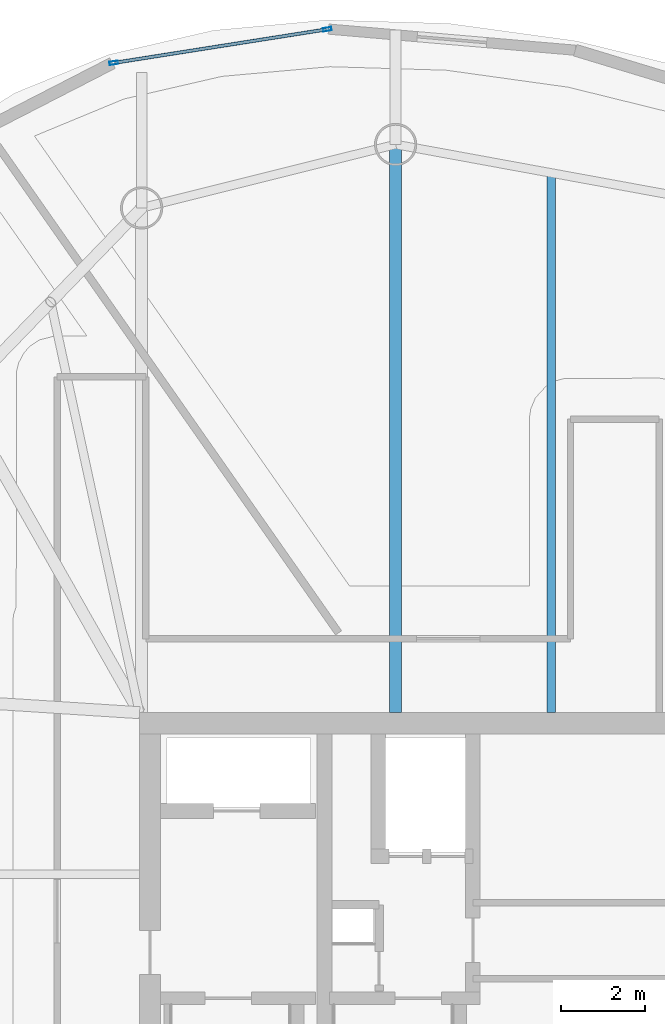
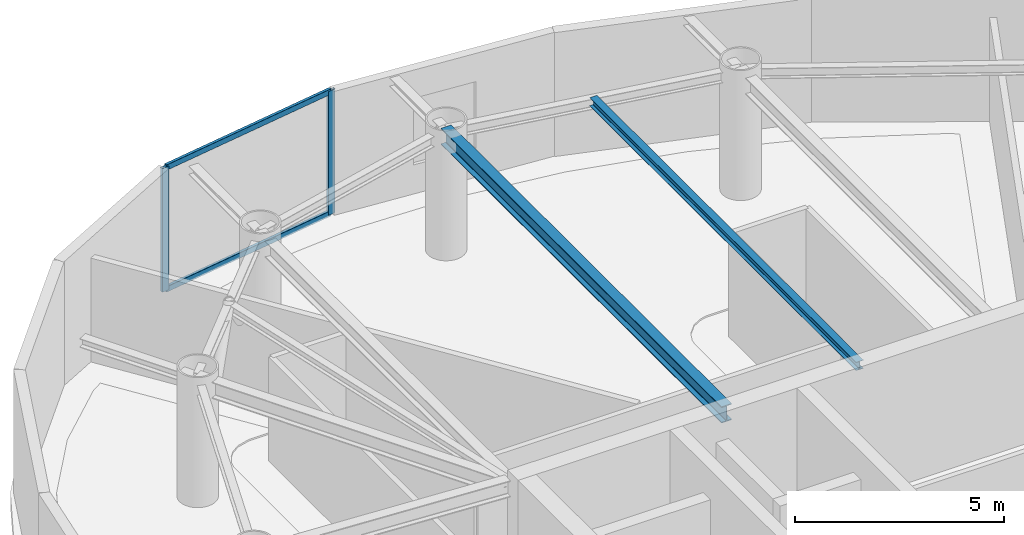
# One storey, part 12 of 20: 4 members, 2 beams, 1 element without a shape of its own.
"""IFC4 building model written with IfcOpenShell, lengths in metres."""

from ifc_helpers import new_model, si_unit, direction, frame, origin, origin_2d, place, context, subcontext, project, spatial, hollow_rectangle, i_section, extrude, material, layer, layer_set, material_profile, profile_set, type_object, element, aggregate, save


model = new_model("IFC4")

# Units and contexts
model_context = context("Model", 3, precision=1e-05, world=origin(), true_north=direction((0.0, 1.0)))
body_context = subcontext(model_context, "Body", "Model", "MODEL_VIEW")
ifc_project = project(units=[si_unit("LENGTHUNIT", "METRE"), si_unit("AREAUNIT", "SQUARE_METRE"), si_unit("VOLUMEUNIT", "CUBIC_METRE"), si_unit("PLANEANGLEUNIT", "RADIAN"), si_unit("MASSUNIT", "GRAM", prefix="KILO")], contexts=[model_context])

# Site, building, storey
site_placement = place(None, origin())
site = spatial("IfcSite", under=ifc_project, at=site_placement, CompositionType="ELEMENT")
building_placement = place(site_placement, origin())
building = spatial("IfcBuilding", under=site, at=building_placement, Name="Bramvorn Convention Spire", CompositionType="ELEMENT")
storey_placement = place(building_placement, frame((0.0, 0.0, 242.050048828125)))
storey = spatial("IfcBuildingStorey", under=building, at=storey_placement, Name="L61", CompositionType="ELEMENT", Elevation=242.050048828125)

# Beams
ifc_material_1 = material(Name="Steel CSA G40.21 Grade 350 (350W)", Category="steel")
ifc_material_profile_1 = material_profile(ifc_material_1, i_section(OverallWidth=0.201904296875, OverallDepth=0.2470703125, WebThickness=0.00732421875, FlangeThickness=0.010986328125, FilletRadius=0.011962890625, at=origin_2d()))
ifc_profile_set_1 = profile_set([ifc_material_profile_1], Name="Steel CSA G40.21 Grade 350 (350W) - W250X49")
beam_type_1 = type_object("IfcBeamType", Name="BM-W250X49", PredefinedType="JOIST", material=ifc_profile_set_1)
beam_1_placement = place(storey_placement, frame((36.498046875, 33.449951171875, 3.50146484375), z_axis=(0.0, 1.0, 0.0), x_axis=(-1.0, 0.0, 0.0)))
element("IfcBeam", 1, at=beam_1_placement, inside=storey, type_object=beam_type_1, Name="L61 composite floor joist 07", PredefinedType="JOIST", context=body_context, shape_type="SweptSolid", body=[
    extrude(i_section(OverallWidth=0.201904296875, OverallDepth=0.2470703125, WebThickness=0.00732421875, FlangeThickness=0.010986328125, FilletRadius=0.011962890625, at=origin_2d()), origin(), (0.0, 0.0, 1.0), 12.77587890625),
])
ifc_material_profile_2 = material_profile(ifc_material_1, i_section(OverallWidth=0.283935546875, OverallDepth=0.47607421875, WebThickness=0.014892578125, FlangeThickness=0.02392578125, FilletRadius=0.01806640625, at=origin_2d()))
ifc_profile_set_2 = profile_set([ifc_material_profile_2], Name="Steel CSA G40.21 Grade 350 (350W) - W460X158")
beam_type_2 = type_object("IfcBeamType", Name="BM-W460X158", PredefinedType="SPANDREL", material=ifc_profile_set_2)
beam_2_placement = place(storey_placement, frame((32.8115234375, 33.449951171875, 3.386962890625), z_axis=(0.0, 1.0, 0.0), x_axis=(-1.0, 0.0, 0.0)))
element("IfcBeam", 2, at=beam_2_placement, inside=storey, type_object=beam_type_2, Name="L61 radial floor girder MC08", PredefinedType="SPANDREL", context=body_context, shape_type="SweptSolid", body=[
    extrude(i_section(OverallWidth=0.283935546875, OverallDepth=0.47607421875, WebThickness=0.014892578125, FlangeThickness=0.02392578125, FilletRadius=0.01806640625, at=origin_2d()), origin(), (0.0, 0.0, 1.0), 13.450927734375),
])

# Curtain wall, members
ifc_material_2 = material(Name="Anodised Bronze Unitised Curtain Wall", Category="aluminium")
ifc_layer = layer(ifc_material_2, 0.179931640625)
ifc_layer_set = layer_set([ifc_layer], Name="Anodised Bronze Unitised Curtain Wall - CW-OFF-FRIT")
curtain_wall_type = type_object("IfcCurtainWallType", Name="CW-OFF-FRIT", PredefinedType="USERDEFINED", material=ifc_layer_set)
curtain_wall_placement = place(storey_placement, origin())
curtain_wall = element("IfcCurtainWall", 3, at=curtain_wall_placement, inside=storey, type_object=curtain_wall_type, Name="L61 fritted glass curtain wall 11", ObjectType="UNITISED CURTAIN WALL", PredefinedType="USERDEFINED")
ifc_material_3 = material(Name="Anodised Bronze Aluminium 6063-T6", Category="aluminium")
ifc_material_profile_3 = material_profile(ifc_material_3, hollow_rectangle(XDim=0.080078125, YDim=0.199951171875, WallThickness=0.00390625, InnerFilletRadius=0.0009765625, OuterFilletRadius=0.00390625, at=origin_2d()))
ifc_profile_set_3 = profile_set([ifc_material_profile_3], Name="Anodised Bronze Aluminium 6063-T6 - CWM80X200")
member_type_1 = type_object("IfcMemberType", Name="CW-MUL-180", PredefinedType="MULLION", material=ifc_profile_set_3)
member_1_placement = place(storey_placement, frame((26.137939453125, 48.8310546875, 0.0), z_axis=(0.0, 0.0, 1.0), x_axis=(-0.155487629891, 0.9878378394, 0.0)))
member_1 = element("IfcMember", 4, at=member_1_placement, type_object=member_type_1, Name="CW3 mullion 1", PredefinedType="MULLION", context=body_context, shape_type="SweptSolid", body=[
    extrude(hollow_rectangle(XDim=0.080078125, YDim=0.199951171875, WallThickness=0.00390625, InnerFilletRadius=0.0009765625, OuterFilletRadius=0.00390625, at=origin_2d()), origin(), (0.0, 0.0, 1.0), 3.625),
])
member_2_placement = place(storey_placement, frame((31.19482421875, 49.626953125, 0.0), z_axis=(0.0, 0.0, 1.0), x_axis=(-0.155487629891, 0.9878378394, 0.0)))
member_2 = element("IfcMember", 5, at=member_2_placement, type_object=member_type_1, Name="CW3 mullion 2", PredefinedType="MULLION", context=body_context, shape_type="SweptSolid", body=[
    extrude(hollow_rectangle(XDim=0.080078125, YDim=0.199951171875, WallThickness=0.00390625, InnerFilletRadius=0.0009765625, OuterFilletRadius=0.00390625, at=origin_2d()), origin(), (0.0, 0.0, 1.0), 3.625),
])
ifc_material_profile_4 = material_profile(ifc_material_3, hollow_rectangle(XDim=0.080078125, YDim=0.159912109375, WallThickness=0.00390625, InnerFilletRadius=0.0009765625, OuterFilletRadius=0.00390625, at=origin_2d()))
ifc_profile_set_4 = profile_set([ifc_material_profile_4], Name="Anodised Bronze Aluminium 6063-T6 - CWT80X160")
member_type_2 = type_object("IfcMemberType", Name="CW-TRN-150", PredefinedType="USERDEFINED", material=ifc_profile_set_4)
member_3_placement = place(storey_placement, frame((26.16748046875, 48.835693359375, 0.030029296875), z_axis=(0.987839143058, 0.155479347317, 0.0), x_axis=(-0.155479347317, 0.987839143058, 0.0)))
member_3 = element("IfcMember", 6, at=member_3_placement, type_object=member_type_2, Name="CW3 transom 1.1", ObjectType="TRANSOM", PredefinedType="USERDEFINED", context=body_context, shape_type="SweptSolid", body=[
    extrude(hollow_rectangle(XDim=0.080078125, YDim=0.159912109375, WallThickness=0.00390625, InnerFilletRadius=0.0009765625, OuterFilletRadius=0.00390625, at=origin_2d()), origin(), (0.0, 0.0, 1.0), 5.059326171875),
])
member_4_placement = place(storey_placement, frame((26.16748046875, 48.835693359375, 3.594970703125), z_axis=(0.987839143058, 0.155479347317, 0.0), x_axis=(-0.155479347317, 0.987839143058, 0.0)))
member_4 = element("IfcMember", 7, at=member_4_placement, type_object=member_type_2, Name="CW3 transom 1.2", ObjectType="TRANSOM", PredefinedType="USERDEFINED", context=body_context, shape_type="SweptSolid", body=[
    extrude(hollow_rectangle(XDim=0.080078125, YDim=0.159912109375, WallThickness=0.00390625, InnerFilletRadius=0.0009765625, OuterFilletRadius=0.00390625, at=origin_2d()), origin(), (0.0, 0.0, 1.0), 5.059326171875),
])
aggregate(curtain_wall, [member_1, member_2, member_3, member_4])

save(model, "model.ifc")
